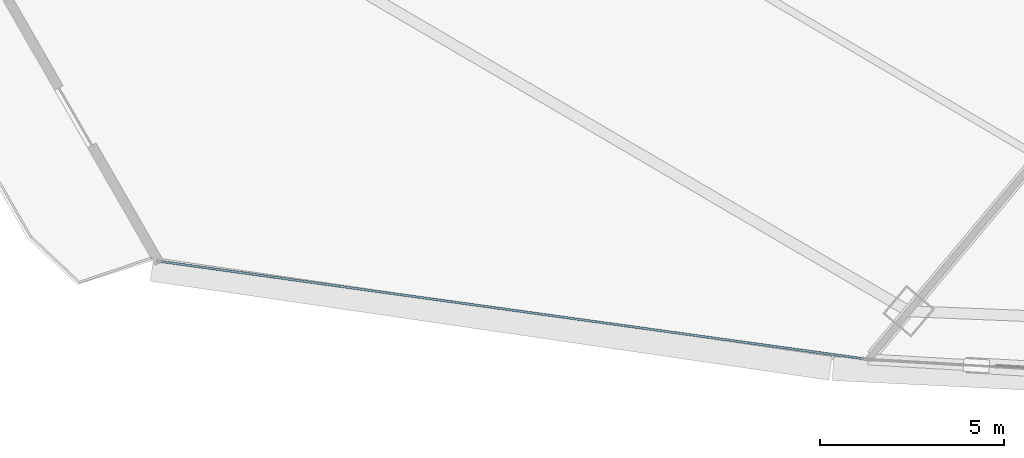
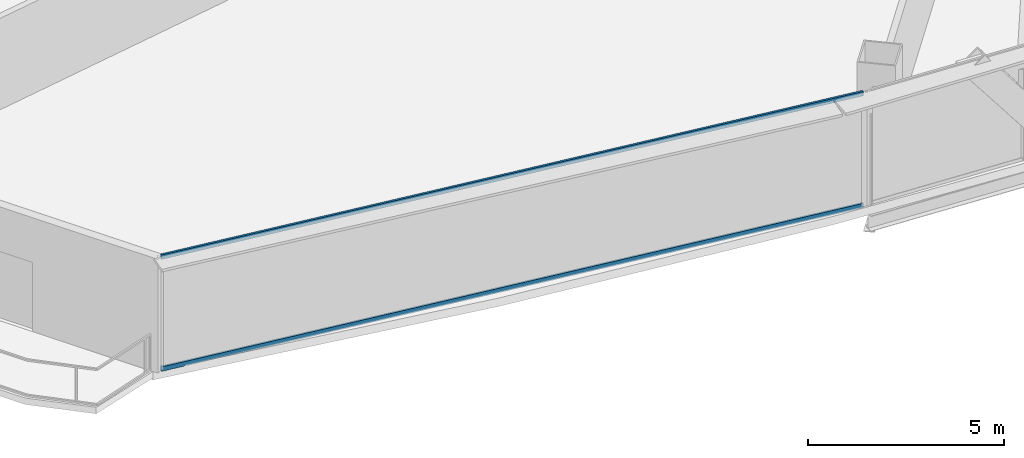
# One storey, part 3 of 36: 2 members, 1 element without a shape of its own.
"""IFC4 building model written with IfcOpenShell, lengths in metres."""

from ifc_helpers import new_model, si_unit, direction, frame, origin, origin_2d, place, context, subcontext, project, spatial, hollow_rectangle, extrude, source, transform, mapped, material, layer, layer_set, material_profile, profile_set, type_object, element, aggregate, save


model = new_model("IFC4")

# Units and contexts
model_context = context("Model", 3, precision=1e-05, world=origin(), true_north=direction((0.0, 1.0)))
body_context = subcontext(model_context, "Body", "Model", "MODEL_VIEW")
ifc_project = project(units=[si_unit("LENGTHUNIT", "METRE"), si_unit("AREAUNIT", "SQUARE_METRE"), si_unit("VOLUMEUNIT", "CUBIC_METRE"), si_unit("PLANEANGLEUNIT", "RADIAN"), si_unit("MASSUNIT", "GRAM", prefix="KILO"), si_unit("THERMODYNAMICTEMPERATUREUNIT", "KELVIN"), si_unit("POWERUNIT", "WATT")], contexts=[model_context])

# Site, building, storey
site_placement = place(None, origin())
site = spatial("IfcSite", under=ifc_project, at=site_placement, CompositionType="ELEMENT")
building_placement = place(site_placement, origin())
building = spatial("IfcBuilding", under=site, at=building_placement, Name="Yunzhuo Pagoda Commons", CompositionType="ELEMENT")
storey_placement = place(building_placement, frame((0.0, 0.0, 103.97998046875)))
storey = spatial("IfcBuildingStorey", under=building, at=storey_placement, Name="L26", CompositionType="ELEMENT", Elevation=103.97998046875)

# Curtain wall, members
ifc_material = material(Name="Anodized aluminium 6063-T6", Category="aluminium")
ifc_layer = layer(ifc_material, 0.1650390625)
ifc_layer_set = layer_set([ifc_layer], Name="Anodized aluminium 6063-T6")
curtain_wall_type = type_object("IfcCurtainWallType", Name="CW-LOW Low-Zone Ribbon Curtain Wall", PredefinedType="NOTDEFINED", material=ifc_layer_set)
curtain_wall_placement = place(storey_placement, origin())
curtain_wall = element("IfcCurtainWall", 1, at=curtain_wall_placement, inside=storey, type_object=curtain_wall_type, Name="L26 curtain wall CW-L26-F1B1", PredefinedType="NOTDEFINED")
ifc_material_profile = material_profile(ifc_material, hollow_rectangle(XDim=0.06005859375, YDim=0.139892578125, WallThickness=0.00341796875, at=origin_2d()), Name="Anodized aluminium 6063-T6")
ifc_profile_set = profile_set([ifc_material_profile], Name="Anodized aluminium 6063-T6")
member_type = type_object("IfcMemberType", Name="CW-LOW-T Transom RHS 140x60x3.5", PredefinedType="USERDEFINED", material=ifc_profile_set)
shared_shape = source(origin(), body_context, "Body", "SweptSolid", [
    extrude(hollow_rectangle(XDim=0.06005859375, YDim=0.139892578125, WallThickness=0.00341796875, at=origin_2d()), origin(), (0.0, 0.0, 1.0), 19.305908203125),
])
member_1_placement = place(storey_placement, frame((11.201416015625, 15.466552734375, 0.030029296875), z_axis=(0.990559643885, -0.137082427419, 0.0), x_axis=(0.137082427419, 0.990559643885, 0.0)))
member_1 = element("IfcMember", 2, at=member_1_placement, type_object=member_type, Name="CW transom 1.1", ObjectType="TRANSOM", PredefinedType="USERDEFINED", context=body_context, shape_type="MappedRepresentation", body=[
    mapped(shared_shape, transform((0.0, 0.0, 0.0), scale=1.0)),
])
member_2_placement = place(storey_placement, frame((11.201416015625, 15.466552734375, 3.510009765625), z_axis=(0.990559643885, -0.137082427419, 0.0), x_axis=(0.137082427419, 0.990559643885, 0.0)))
member_2 = element("IfcMember", 3, at=member_2_placement, type_object=member_type, Name="CW transom 1.2", ObjectType="TRANSOM", PredefinedType="USERDEFINED", context=body_context, shape_type="MappedRepresentation", body=[
    mapped(shared_shape, transform((0.0, 0.0, 0.0), scale=1.0)),
])
aggregate(curtain_wall, [member_1, member_2])

save(model, "model.ifc")
